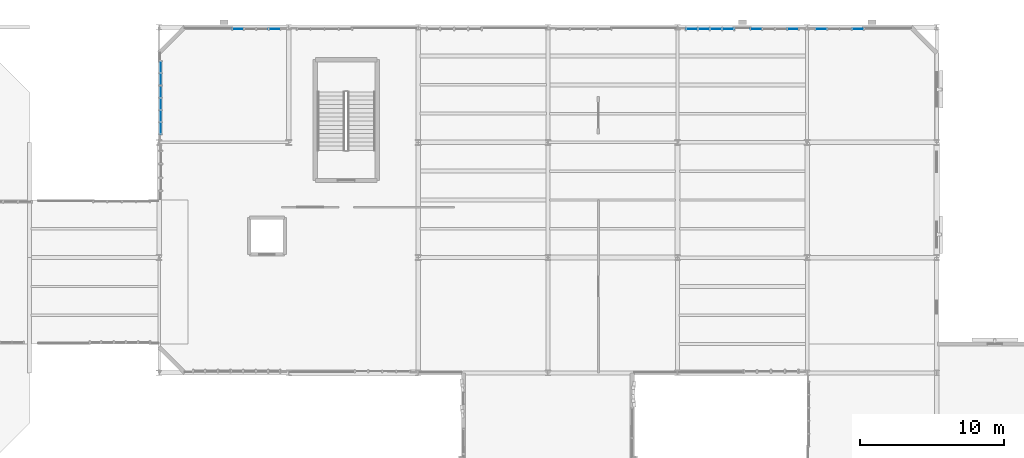
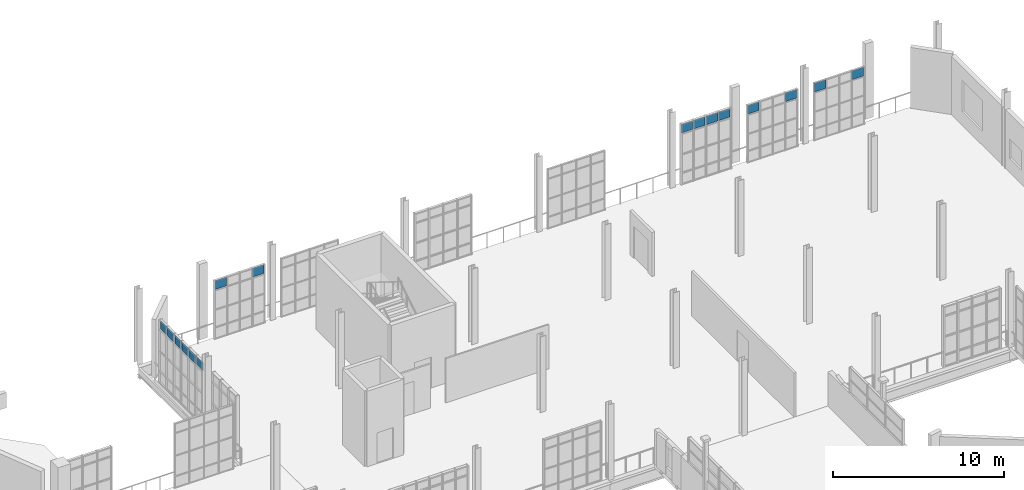
# One storey, part 121 of 142: 16 plates, 5 elements without a shape of their own.
"""IFC4 building model written with IfcOpenShell, lengths in metres."""

from ifc_helpers import new_model, si_unit, direction, frame, origin, origin_2d, place, context, subcontext, project, spatial, rectangle, extrude, material, layer, layer_set, type_object, element, aggregate, save


model = new_model("IFC4")

# Units and contexts
model_context = context("Model", 3, precision=1e-05, world=origin(), true_north=direction((0.0, 1.0)))
body_context = subcontext(model_context, "Body", "Model", "MODEL_VIEW")
ifc_project = project(units=[si_unit("LENGTHUNIT", "METRE"), si_unit("AREAUNIT", "SQUARE_METRE"), si_unit("VOLUMEUNIT", "CUBIC_METRE"), si_unit("PLANEANGLEUNIT", "RADIAN"), si_unit("MASSUNIT", "GRAM", prefix="KILO"), si_unit("THERMODYNAMICTEMPERATUREUNIT", "KELVIN"), si_unit("POWERUNIT", "WATT")], contexts=[model_context])

# Site, building, storey
site_placement = place(None, origin())
site = spatial("IfcSite", under=ifc_project, at=site_placement, CompositionType="ELEMENT")
building_placement = place(site_placement, origin())
building = spatial("IfcBuilding", under=site, at=building_placement, Name="Zelmaris Science Centre", CompositionType="ELEMENT")
storey_placement = place(building_placement, frame((0.0, 0.0, 5.39990234375)))
storey = spatial("IfcBuildingStorey", under=building, at=storey_placement, Name="L01", CompositionType="ELEMENT", Elevation=5.39990234375)

# Curtain wall, plates
ifc_material_1 = material(Name="Anodised architectural aluminium 6063-T6", Category="aluminium")
ifc_layer_1 = layer(ifc_material_1, 0.199951171875, Name="Anodised architectural aluminium 6063-T6")
ifc_layer_set_1 = layer_set([ifc_layer_1], Name="Anodised architectural aluminium 6063-T6")
curtain_wall_type_1 = type_object("IfcCurtainWallType", Name="Curtain Wall CW-02", PredefinedType="USERDEFINED", material=ifc_layer_set_1)
curtain_wall_1_placement = place(storey_placement, origin())
curtain_wall_1 = element("IfcCurtainWall", 1, at=curtain_wall_1_placement, inside=storey, type_object=curtain_wall_type_1, Name="L01 Unitised curtain wall 130", ObjectType="GLAZED CURTAIN WALL", PredefinedType="USERDEFINED")
ifc_material_2 = material(Name="Laminated hurricane-rated low-E insulated glazing", Category="glass")
ifc_layer_2 = layer(ifc_material_2, 0.028076171875, Name="Laminated hurricane-rated low-E insulated glazing")
ifc_layer_set_2 = layer_set([ifc_layer_2], Name="Laminated hurricane-rated low-E insulated glazing")
plate_type_1 = type_object("IfcPlateType", Name="Curtain Glazing Panel CWP-2 28mm", PredefinedType="CURTAIN_PANEL", material=ifc_layer_set_2)
plate_1_placement = place(storey_placement, frame((54.1201171875, 80.9833984375, 3.839599609375), z_axis=(0.0, 0.0, 1.0), x_axis=(1.9531247e-05, 0.999999999809, 0.0)))
plate_1 = element("IfcPlate", 2, at=plate_1_placement, type_object=plate_type_1, Name="CW-02 panel 1.4", PredefinedType="CURTAIN_PANEL", context=body_context, shape_type="SweptSolid", body=[
    extrude(rectangle(XDim=0.7529296875, YDim=0.028076171875, at=origin_2d()), origin(), (0.0, 0.0, 1.0), 0.599609375),
])
plate_2_placement = place(storey_placement, frame((54.1201171875, 81.820068359375, 3.839599609375), z_axis=(0.0, 0.0, 1.0), x_axis=(1.9531247e-05, 0.999999999809, 0.0)))
plate_2 = element("IfcPlate", 3, at=plate_2_placement, type_object=plate_type_1, Name="CW-02 panel 2.4", PredefinedType="CURTAIN_PANEL", context=body_context, shape_type="SweptSolid", body=[
    extrude(rectangle(XDim=0.786376953125, YDim=0.028076171875, at=origin_2d()), origin(), (0.0, 0.0, 1.0), 0.599609375),
])
plate_3_placement = place(storey_placement, frame((54.1201171875, 82.67333984375, 3.839599609375), z_axis=(0.0, 0.0, 1.0), x_axis=(1.9531247e-05, 0.999999999809, 0.0)))
plate_3 = element("IfcPlate", 4, at=plate_3_placement, type_object=plate_type_1, Name="CW-02 panel 3.4", PredefinedType="CURTAIN_PANEL", context=body_context, shape_type="SweptSolid", body=[
    extrude(rectangle(XDim=0.786376953125, YDim=0.028076171875, at=origin_2d()), origin(), (0.0, 0.0, 1.0), 0.599609375),
])
plate_4_placement = place(storey_placement, frame((54.1201171875, 83.526611328125, 3.839599609375), z_axis=(0.0, 0.0, 1.0), x_axis=(1.9531247e-05, 0.999999999809, 0.0)))
plate_4 = element("IfcPlate", 5, at=plate_4_placement, type_object=plate_type_1, Name="CW-02 panel 4.4", PredefinedType="CURTAIN_PANEL", context=body_context, shape_type="SweptSolid", body=[
    extrude(rectangle(XDim=0.786376953125, YDim=0.028076171875, at=origin_2d()), origin(), (0.0, 0.0, 1.0), 0.599609375),
])
plate_5_placement = place(storey_placement, frame((54.1201171875, 84.3798828125, 3.839599609375), z_axis=(0.0, 0.0, 1.0), x_axis=(1.9531247e-05, 0.999999999809, 0.0)))
plate_5 = element("IfcPlate", 6, at=plate_5_placement, type_object=plate_type_1, Name="CW-02 panel 5.4", PredefinedType="CURTAIN_PANEL", context=body_context, shape_type="SweptSolid", body=[
    extrude(rectangle(XDim=0.786376953125, YDim=0.028076171875, at=origin_2d()), origin(), (0.0, 0.0, 1.0), 0.599609375),
])
plate_6_placement = place(storey_placement, frame((54.1201171875, 85.216552734375, 3.839599609375), z_axis=(0.0, 0.0, 1.0), x_axis=(1.9531247e-05, 0.999999999809, 0.0)))
plate_6 = element("IfcPlate", 7, at=plate_6_placement, type_object=plate_type_1, Name="CW-02 panel 6.4", PredefinedType="CURTAIN_PANEL", context=body_context, shape_type="SweptSolid", body=[
    extrude(rectangle(XDim=0.7529296875, YDim=0.028076171875, at=origin_2d()), origin(), (0.0, 0.0, 1.0), 0.599609375),
])
aggregate(curtain_wall_1, [plate_1, plate_2, plate_3, plate_4, plate_5, plate_6])

curtain_wall_2_placement = place(storey_placement, origin())
curtain_wall_2 = element("IfcCurtainWall", 8, at=curtain_wall_2_placement, inside=storey, type_object=curtain_wall_type_1, Name="L01 Unitised curtain wall 138", ObjectType="GLAZED CURTAIN WALL", PredefinedType="USERDEFINED")
plate_7_placement = place(storey_placement, frame((90.984130859375, 87.8798828125, 3.66845703125), z_axis=(0.0, 0.0, 1.0), x_axis=(1.0, 0.0, 0.0)))
plate_7 = element("IfcPlate", 9, at=plate_7_placement, type_object=plate_type_1, Name="CW-02 panel 1.4", PredefinedType="CURTAIN_PANEL", context=body_context, shape_type="SweptSolid", body=[
    extrude(rectangle(XDim=0.75439453125, YDim=0.028076171875, at=origin_2d()), origin(), (0.0, 0.0, 1.0), 0.599609375),
])
plate_8_placement = place(storey_placement, frame((91.822509765625, 87.8798828125, 3.66845703125), z_axis=(0.0, 0.0, 1.0), x_axis=(1.0, 0.0, 0.0)))
plate_8 = element("IfcPlate", 10, at=plate_8_placement, type_object=plate_type_1, Name="CW-02 panel 2.4", PredefinedType="CURTAIN_PANEL", context=body_context, shape_type="SweptSolid", body=[
    extrude(rectangle(XDim=0.7880859375, YDim=0.028076171875, at=origin_2d()), origin(), (0.0, 0.0, 1.0), 0.599609375),
])
plate_9_placement = place(storey_placement, frame((92.677490234375, 87.8798828125, 3.66845703125), z_axis=(0.0, 0.0, 1.0), x_axis=(1.0, 0.0, 0.0)))
plate_9 = element("IfcPlate", 11, at=plate_9_placement, type_object=plate_type_1, Name="CW-02 panel 3.4", PredefinedType="CURTAIN_PANEL", context=body_context, shape_type="SweptSolid", body=[
    extrude(rectangle(XDim=0.7880859375, YDim=0.028076171875, at=origin_2d()), origin(), (0.0, 0.0, 1.0), 0.599609375),
])
plate_10_placement = place(storey_placement, frame((93.515869140625, 87.8798828125, 3.66845703125), z_axis=(0.0, 0.0, 1.0), x_axis=(1.0, 0.0, 0.0)))
plate_10 = element("IfcPlate", 12, at=plate_10_placement, type_object=plate_type_1, Name="CW-02 panel 4.4", PredefinedType="CURTAIN_PANEL", context=body_context, shape_type="SweptSolid", body=[
    extrude(rectangle(XDim=0.75439453125, YDim=0.028076171875, at=origin_2d()), origin(), (0.0, 0.0, 1.0), 0.599609375),
])
aggregate(curtain_wall_2, [plate_7, plate_8, plate_9, plate_10])

ifc_layer_3 = layer(ifc_material_1, 0.2099609375, Name="Anodised architectural aluminium 6063-T6")
ifc_layer_set_3 = layer_set([ifc_layer_3], Name="Anodised architectural aluminium 6063-T6")
curtain_wall_type_2 = type_object("IfcCurtainWallType", Name="Curtain Wall CW-03", PredefinedType="USERDEFINED", material=ifc_layer_set_3)
curtain_wall_3_placement = place(storey_placement, origin())
curtain_wall_3 = element("IfcCurtainWall", 13, at=curtain_wall_3_placement, inside=storey, type_object=curtain_wall_type_2, Name="L01 Unitised curtain wall 131", ObjectType="GLAZED CURTAIN WALL", PredefinedType="USERDEFINED")
ifc_layer_4 = layer(ifc_material_2, 0.02587890625, Name="Laminated hurricane-rated low-E insulated glazing")
ifc_layer_set_4 = layer_set([ifc_layer_4], Name="Laminated hurricane-rated low-E insulated glazing")
plate_type_2 = type_object("IfcPlateType", Name="Curtain Glazing Panel CWP-3 26mm", PredefinedType="CURTAIN_PANEL", material=ifc_layer_set_4)
plate_11_placement = place(storey_placement, frame((59.481689453125, 87.8798828125, 3.51953125), z_axis=(0.0, 0.0, 1.0), x_axis=(1.0, 0.0, 0.0)))
plate_11 = element("IfcPlate", 14, at=plate_11_placement, type_object=plate_type_2, Name="CW-03 panel 1.4", PredefinedType="CURTAIN_PANEL", context=body_context, shape_type="SweptSolid", body=[
    extrude(rectangle(XDim=0.76953125, YDim=0.02587890625, at=origin_2d()), origin(), (0.0, 0.0, 1.0), 0.614501953125),
])
plate_12_placement = place(storey_placement, frame((62.018310546875, 87.8798828125, 3.51953125), z_axis=(0.0, 0.0, 1.0), x_axis=(1.0, 0.0, 0.0)))
plate_12 = element("IfcPlate", 15, at=plate_12_placement, type_object=plate_type_2, Name="CW-03 panel 4.4", PredefinedType="CURTAIN_PANEL", context=body_context, shape_type="SweptSolid", body=[
    extrude(rectangle(XDim=0.76953125, YDim=0.02587890625, at=origin_2d()), origin(), (0.0, 0.0, 1.0), 0.614501953125),
])
aggregate(curtain_wall_3, [plate_11, plate_12])

curtain_wall_4_placement = place(storey_placement, origin())
curtain_wall_4 = element("IfcCurtainWall", 16, at=curtain_wall_4_placement, inside=storey, type_object=curtain_wall_type_2, Name="L01 Unitised curtain wall 139", ObjectType="GLAZED CURTAIN WALL", PredefinedType="USERDEFINED")
plate_13_placement = place(storey_placement, frame((95.481689453125, 87.8798828125, 3.4423828125), z_axis=(0.0, 0.0, 1.0), x_axis=(1.0, 0.0, 0.0)))
plate_13 = element("IfcPlate", 17, at=plate_13_placement, type_object=plate_type_2, Name="CW-03 panel 1.4", PredefinedType="CURTAIN_PANEL", context=body_context, shape_type="SweptSolid", body=[
    extrude(rectangle(XDim=0.76953125, YDim=0.02587890625, at=origin_2d()), origin(), (0.0, 0.0, 1.0), 0.614501953125),
])
plate_14_placement = place(storey_placement, frame((98.018310546875, 87.8798828125, 3.4423828125), z_axis=(0.0, 0.0, 1.0), x_axis=(1.0, 0.0, 0.0)))
plate_14 = element("IfcPlate", 18, at=plate_14_placement, type_object=plate_type_2, Name="CW-03 panel 4.4", PredefinedType="CURTAIN_PANEL", context=body_context, shape_type="SweptSolid", body=[
    extrude(rectangle(XDim=0.76953125, YDim=0.02587890625, at=origin_2d()), origin(), (0.0, 0.0, 1.0), 0.614501953125),
])
aggregate(curtain_wall_4, [plate_13, plate_14])

ifc_layer_5 = layer(ifc_material_1, 0.219970703125, Name="Anodised architectural aluminium 6063-T6")
ifc_layer_set_5 = layer_set([ifc_layer_5], Name="Anodised architectural aluminium 6063-T6")
curtain_wall_type_3 = type_object("IfcCurtainWallType", Name="Curtain Wall CW-04", PredefinedType="USERDEFINED", material=ifc_layer_set_5)
curtain_wall_5_placement = place(storey_placement, origin())
curtain_wall_5 = element("IfcCurtainWall", 19, at=curtain_wall_5_placement, inside=storey, type_object=curtain_wall_type_3, Name="L01 Unitised curtain wall 140", ObjectType="GLAZED CURTAIN WALL", PredefinedType="USERDEFINED")
ifc_layer_6 = layer(ifc_material_2, 0.02392578125, Name="Laminated hurricane-rated low-E insulated glazing")
ifc_layer_set_6 = layer_set([ifc_layer_6], Name="Laminated hurricane-rated low-E insulated glazing")
plate_type_3 = type_object("IfcPlateType", Name="Curtain Glazing Panel CWP-4 24mm", PredefinedType="CURTAIN_PANEL", material=ifc_layer_set_6)
plate_15_placement = place(storey_placement, frame((99.98046875, 87.8798828125, 3.43994140625), z_axis=(0.0, 0.0, 1.0), x_axis=(1.0, 0.0, 0.0)))
plate_15 = element("IfcPlate", 20, at=plate_15_placement, type_object=plate_type_3, Name="CW-04 panel 1.4", PredefinedType="CURTAIN_PANEL", context=body_context, shape_type="SweptSolid", body=[
    extrude(rectangle(XDim=0.777099609375, YDim=0.02392578125, at=origin_2d()), origin(), (0.0, 0.0, 1.0), 0.6220703125),
])
plate_16_placement = place(storey_placement, frame((102.51953125, 87.8798828125, 3.43994140625), z_axis=(0.0, 0.0, 1.0), x_axis=(1.0, 0.0, 0.0)))
plate_16 = element("IfcPlate", 21, at=plate_16_placement, type_object=plate_type_3, Name="CW-04 panel 4.4", PredefinedType="CURTAIN_PANEL", context=body_context, shape_type="SweptSolid", body=[
    extrude(rectangle(XDim=0.777099609375, YDim=0.02392578125, at=origin_2d()), origin(), (0.0, 0.0, 1.0), 0.6220703125),
])
aggregate(curtain_wall_5, [plate_15, plate_16])

save(model, "model.ifc")
